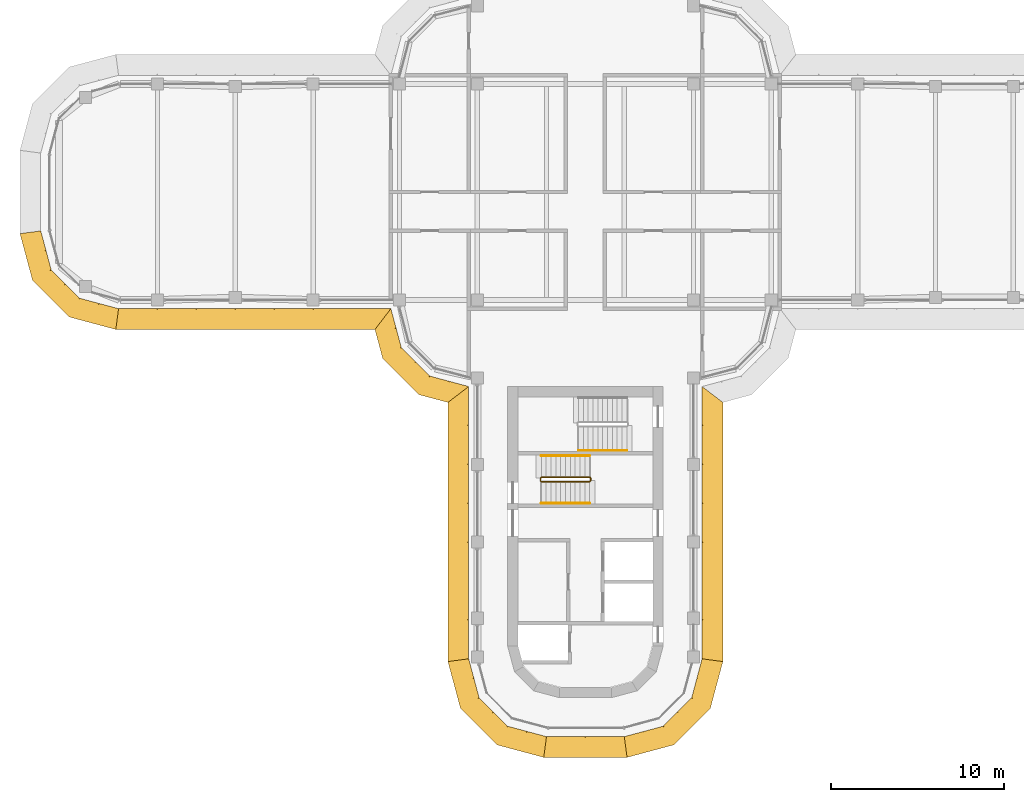
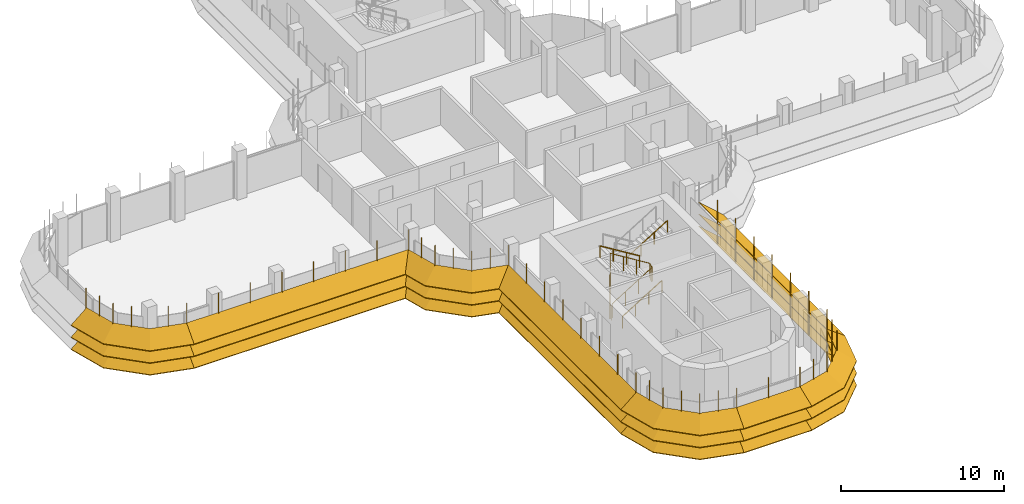
# One storey, part 16 of 19: 8 shading devices, 4 railings.
"""IFC4 building model written with IfcOpenShell, lengths in metres."""

from ifc_helpers import new_model, si_unit, direction, frame, origin, origin_2d, place, context, subcontext, project, spatial, polyline, circle, outline, extrude, faceted_brep, source, transform, mapped, material, type_object, element, save


model = new_model("IFC4")

# Units and contexts
model_context = context("Model", 3, precision=1e-05, world=origin(), true_north=direction((0.0, 1.0)))
body_context = subcontext(model_context, "Body", "Model", "MODEL_VIEW")
ifc_project = project(units=[si_unit("LENGTHUNIT", "METRE"), si_unit("AREAUNIT", "SQUARE_METRE"), si_unit("VOLUMEUNIT", "CUBIC_METRE"), si_unit("PLANEANGLEUNIT", "RADIAN"), si_unit("MASSUNIT", "GRAM", prefix="KILO")], contexts=[model_context])

# Site, building, storey
site_placement = place(None, origin())
site = spatial("IfcSite", under=ifc_project, at=site_placement, CompositionType="ELEMENT")
building_placement = place(site_placement, origin())
building = spatial("IfcBuilding", under=site, at=building_placement, Name="Zarbagh Exchange Tower", CompositionType="ELEMENT")
storey_placement = place(building_placement, frame((0.0, 0.0, 218.199951171875)))
storey = spatial("IfcBuildingStorey", under=building, at=storey_placement, Name="L53", CompositionType="ELEMENT", Elevation=218.199951171875)

# Railings
ifc_material_1 = material(Name="Stainless steel", Category="steel")
railing_type_1 = type_object("IfcRailingType", Name="Stair guard 1100 mm", PredefinedType="GUARDRAIL", material=ifc_material_1)
railing_1_placement = place(storey_placement, frame((-2.550048828125, -16.75, 0.1728515625)))
element("IfcRailing", 1, at=railing_1_placement, inside=storey, type_object=railing_type_1, Name="ST3 stair guard 1", PredefinedType="GUARDRAIL", context=body_context, shape_type="SweptSolid", body=[
    extrude(circle(Radius=0.02392578125, at=origin_2d()), frame((0.0, 0.0, 1.076171875), z_axis=(0.851089632645, 0.0, 0.525020415988), x_axis=(0.0, 1.0, 0.0)), (0.0, 0.0, 1.0), 3.2900390625),
    extrude(circle(Radius=0.02392578125, at=origin_2d()), frame((2.800048828125, 0.0, 2.80322265625), z_axis=(0.707106781187, 0.707106781187, 0.0), x_axis=(-0.707106781187, 0.707106781187, 0.0)), (0.0, 0.0, 1.0), 0.07080078125),
    extrude(circle(Radius=0.02392578125, at=origin_2d()), frame((2.85009765625, 0.050048828125, 2.80322265625), z_axis=(0.0, 1.0, 0.0), x_axis=(-1.0, 0.0, 0.0)), (0.0, 0.0, 1.0), 0.14990234375),
    extrude(circle(Radius=0.02392578125, at=origin_2d()), frame((2.85009765625, 0.199951171875, 2.80322265625), z_axis=(-0.268277960024, 0.268277960024, 0.925231793839), x_axis=(-0.707106781187, -0.707106781187, 0.0)), (0.0, 0.0, 1.0), 0.1865234375),
    extrude(circle(Radius=0.02392578125, at=origin_2d()), frame((2.800048828125, 0.25, 2.97607421875), z_axis=(-0.851089632645, 0.0, 0.525020415988), x_axis=(0.0, -1.0, 0.0)), (0.0, 0.0, 1.0), 3.2900390625),
    extrude(circle(Radius=0.02392578125, at=origin_2d()), frame((0.0, 0.25, 4.703125), z_axis=(-0.013168290981, -0.013168290981, -0.999826581076), x_axis=(0.707106781187, -0.707106781187, 0.0)), (0.0, 0.0, 1.0), 3.80078125),
    extrude(circle(Radius=0.02392578125, at=origin_2d()), frame((-0.050048828125, 0.199951171875, 0.9033203125), z_axis=(0.0, -1.0, 0.0), x_axis=(1.0, 0.0, 0.0)), (0.0, 0.0, 1.0), 0.14990234375),
    extrude(circle(Radius=0.02099609375, at=origin_2d()), origin(), (0.0, 0.0, 1.0), 1.052001953125),
    extrude(circle(Radius=0.02099609375, at=origin_2d()), frame((0.933349609375, 0.0, 0.57568359375)), (0.0, 0.0, 1.0), 1.052001953125),
    extrude(circle(Radius=0.02099609375, at=origin_2d()), frame((1.86669921875, 0.0, 1.151611328125)), (0.0, 0.0, 1.0), 1.052001953125),
    extrude(circle(Radius=0.02099609375, at=origin_2d()), frame((2.800048828125, 0.0, 1.727294921875)), (0.0, 0.0, 1.0), 1.052001953125),
    extrude(circle(Radius=0.02099609375, at=origin_2d()), frame((2.85009765625, 0.050048828125, 1.727294921875)), (0.0, 0.0, 1.0), 1.052001953125),
    extrude(circle(Radius=0.02099609375, at=origin_2d()), frame((2.85009765625, 0.199951171875, 1.727294921875)), (0.0, 0.0, 1.0), 1.052001953125),
    extrude(circle(Radius=0.02099609375, at=origin_2d()), frame((2.800048828125, 0.25, 1.89990234375)), (0.0, 0.0, 1.0), 1.052001953125),
    extrude(circle(Radius=0.02099609375, at=origin_2d()), frame((1.86669921875, 0.25, 2.4755859375)), (0.0, 0.0, 1.0), 1.052001953125),
    extrude(circle(Radius=0.02099609375, at=origin_2d()), frame((0.933349609375, 0.25, 3.051513671875)), (0.0, 0.0, 1.0), 1.052001953125),
    extrude(circle(Radius=0.02099609375, at=origin_2d()), frame((0.0, 0.25, 3.627197265625)), (0.0, 0.0, 1.0), 1.052001953125),
    extrude(circle(Radius=0.02099609375, at=origin_2d()), frame((-0.012451171875, 0.237548828125, 2.67724609375)), (0.0, 0.0, 1.0), 1.052001953125),
    extrude(circle(Radius=0.02099609375, at=origin_2d()), frame((-0.02490234375, 0.22509765625, 1.72705078125)), (0.0, 0.0, 1.0), 1.052001953125),
    extrude(circle(Radius=0.02099609375, at=origin_2d()), frame((-0.03759765625, 0.21240234375, 0.777099609375)), (0.0, 0.0, 1.0), 1.052001953125),
    extrude(circle(Radius=0.02099609375, at=origin_2d()), frame((-0.050048828125, 0.199951171875, -0.1728515625)), (0.0, 0.0, 1.0), 1.052001953125),
    extrude(circle(Radius=0.02099609375, at=origin_2d()), frame((-0.050048828125, 0.050048828125, -0.1728515625)), (0.0, 0.0, 1.0), 1.052001953125),
])
railing_type_2 = type_object("IfcRailingType", Name="Stair handrail 900 mm", PredefinedType="HANDRAIL", material=ifc_material_1)
railing_2_placement = place(storey_placement, frame((-2.550048828125, -18.0, 0.1728515625)))
element("IfcRailing", 2, at=railing_2_placement, inside=storey, type_object=railing_type_2, Name="ST3 stair handrail 1", PredefinedType="HANDRAIL", context=body_context, shape_type="SweptSolid", body=[
    extrude(circle(Radius=0.02392578125, at=origin_2d()), frame((0.0, 0.0, 0.8759765625), z_axis=(0.851089632645, 0.0, 0.525020415988), x_axis=(0.0, 1.0, 0.0)), (0.0, 0.0, 1.0), 3.2900390625),
    extrude(circle(Radius=0.02099609375, at=origin_2d()), origin(), (0.0, 0.0, 1.0), 0.851806640625),
    extrude(circle(Radius=0.02099609375, at=origin_2d()), frame((0.933349609375, 0.0, 0.57568359375)), (0.0, 0.0, 1.0), 0.851806640625),
    extrude(circle(Radius=0.02099609375, at=origin_2d()), frame((1.86669921875, 0.0, 1.151611328125)), (0.0, 0.0, 1.0), 0.851806640625),
    extrude(circle(Radius=0.02099609375, at=origin_2d()), frame((2.800048828125, 0.0, 1.727294921875)), (0.0, 0.0, 1.0), 0.851806640625),
])
railing_3_placement = place(storey_placement, frame((0.25, -15.25, 2.07275390625)))
element("IfcRailing", 3, at=railing_3_placement, inside=storey, type_object=railing_type_2, Name="ST3 stair handrail 2", PredefinedType="HANDRAIL", context=body_context, shape_type="SweptSolid", body=[
    extrude(circle(Radius=0.02392578125, at=origin_2d()), frame((0.0, 0.0, 0.8759765625), z_axis=(-0.851089632645, 0.0, 0.525020415988), x_axis=(0.0, -1.0, 0.0)), (0.0, 0.0, 1.0), 3.2900390625),
    extrude(circle(Radius=0.02099609375, at=origin_2d()), origin(), (0.0, 0.0, 1.0), 0.851806640625),
    extrude(circle(Radius=0.02099609375, at=origin_2d()), frame((-0.933349609375, 0.0, 0.57568359375)), (0.0, 0.0, 1.0), 0.851806640625),
    extrude(circle(Radius=0.02099609375, at=origin_2d()), frame((-1.86669921875, 0.0, 1.151611328125)), (0.0, 0.0, 1.0), 0.851806640625),
    extrude(circle(Radius=0.02099609375, at=origin_2d()), frame((-2.800048828125, 0.0, 1.727294921875)), (0.0, 0.0, 1.0), 0.851806640625),
])
railing_4_placement = place(storey_placement, frame((-0.39990234375, -14.949951171875, 2.07275390625)))
element("IfcRailing", 4, at=railing_4_placement, inside=storey, type_object=railing_type_2, Name="ST4 stair handrail 2", PredefinedType="HANDRAIL", context=body_context, shape_type="SweptSolid", body=[
    extrude(circle(Radius=0.02392578125, at=origin_2d()), frame((0.0, 0.0, 0.8759765625), z_axis=(0.851069175582, 0.0, 0.525053576669), x_axis=(0.0, 1.0, 0.0)), (0.0, 0.0, 1.0), 3.289794921875),
    extrude(circle(Radius=0.02099609375, at=origin_2d()), origin(), (0.0, 0.0, 1.0), 0.851806640625),
    extrude(circle(Radius=0.02099609375, at=origin_2d()), frame((0.933349609375, 0.0, 0.57568359375)), (0.0, 0.0, 1.0), 0.851806640625),
    extrude(circle(Radius=0.02099609375, at=origin_2d()), frame((1.866455078125, 0.0, 1.151611328125)), (0.0, 0.0, 1.0), 0.851806640625),
    extrude(circle(Radius=0.02099609375, at=origin_2d()), frame((2.7998046875, 0.0, 1.727294921875)), (0.0, 0.0, 1.0), 0.851806640625),
])

# Shading devices
ifc_material_2 = material(Name="Anodised aluminium blades and brackets", Category="aluminium")
shading_device_type = type_object("IfcShadingDeviceType", Name="SUNSHADE louvre band, 33.75 degree blades", PredefinedType="JALOUSIE", material=ifc_material_2)
shared_shape_1 = source(origin(), body_context, "Body", "Brep", [
    faceted_brep([(0.0, 0.0, 0.0), (0.0, 0.0, -0.048095703125), (-0.157958984375, -1.199951171875, -0.849853515625), (-0.157958984375, -1.199951171875, -0.8017578125), (2.65087890625, -1.199951171875, -0.8017578125), (2.65087890625, -1.199951171875, -0.849853515625), (2.329345703125, 0.0, -0.048095703125), (2.329345703125, 0.0, 0.0)], [[[0, 1, 2, 3]], [[4, 5, 6, 7]], [[0, 7, 6, 1]], [[1, 6, 5, 2]], [[2, 5, 4, 3]], [[3, 4, 7, 0]]]),
])
shared_shape_2 = source(origin(), body_context, "Body", "Brep", [
    faceted_brep([(0.0, 0.0, 0.0), (0.0, 0.0, -0.048095703125), (-0.321533203125, -1.199951171875, -0.849853515625), (-0.321533203125, -1.199951171875, -0.8017578125), (2.65087890625, -1.199951171875, -0.8017578125), (2.65087890625, -1.199951171875, -0.849853515625), (2.329345703125, 0.0, -0.048095703125), (2.329345703125, 0.0, 0.0)], [[[0, 1, 2, 3]], [[4, 5, 6, 7]], [[0, 7, 6, 1]], [[1, 6, 5, 2]], [[2, 5, 4, 3]], [[3, 4, 7, 0]]]),
])
shared_shape_3 = source(origin(), body_context, "Body", "Brep", [
    faceted_brep([(0.0, 0.0, 0.0), (0.0, 0.0, -0.048095703125), (-0.321533203125, -1.199951171875, -0.849853515625), (-0.321533203125, -1.199951171875, -0.8017578125), (2.4873046875, -1.199951171875, -0.8017578125), (2.4873046875, -1.199951171875, -0.849853515625), (2.329345703125, 0.0, -0.048095703125), (2.329345703125, 0.0, 0.0)], [[[0, 1, 2, 3]], [[4, 5, 6, 7]], [[0, 7, 6, 1]], [[1, 6, 5, 2]], [[2, 5, 4, 3]], [[3, 4, 7, 0]]]),
])
shared_shape_4 = source(origin(), body_context, "Body", "SweptSolid", [
    extrude(outline(polyline([(0.0, -0.012451171875), (0.06005859375, -0.012451171875), (0.06005859375, 0.012451171875), (0.0, 0.012451171875), (0.0, -0.012451171875)])), origin(), (0.0, 0.0, 1.0), 3.358154296875),
])
placement = place(storey_placement, origin())
element("IfcShadingDevice", 5, at=placement, inside=storey, type_object=shading_device_type, Name="SS35 sunshade band", PredefinedType="JALOUSIE", context=body_context, shape_type="MappedRepresentation", body=[
    mapped(shared_shape_1, transform((2.25, -31.5, 2.300048828125), x_axis=(0.965924289636, 0.258824779902, 0.0), y_axis=(-0.258824779902, 0.965924289636, 0.0), z_axis=(0.0, 0.0, 1.0))),
    mapped(shared_shape_1, transform((2.25, -31.5, 1.400146484375), x_axis=(0.965924289636, 0.258824779902, 0.0), y_axis=(-0.258824779902, 0.965924289636, 0.0), z_axis=(0.0, 0.0, 1.0))),
    mapped(shared_shape_1, transform((2.25, -31.5, 0.5), x_axis=(0.965924289636, 0.258824779902, 0.0), y_axis=(-0.258824779902, 0.965924289636, 0.0), z_axis=(0.0, 0.0, 1.0))),
    mapped(shared_shape_2, transform((4.5, -30.897216796875, 2.300048828125), x_axis=(0.707106781187, 0.707106781187, 0.0), y_axis=(-0.707106781187, 0.707106781187, 0.0), z_axis=(0.0, 0.0, 1.0))),
    mapped(shared_shape_2, transform((4.5, -30.897216796875, 1.400146484375), x_axis=(0.707106781187, 0.707106781187, 0.0), y_axis=(-0.707106781187, 0.707106781187, 0.0), z_axis=(0.0, 0.0, 1.0))),
    mapped(shared_shape_2, transform((4.5, -30.897216796875, 0.5), x_axis=(0.707106781187, 0.707106781187, 0.0), y_axis=(-0.707106781187, 0.707106781187, 0.0), z_axis=(0.0, 0.0, 1.0))),
    mapped(shared_shape_3, transform((6.147216796875, -29.25, 2.300048828125), x_axis=(0.258824779902, 0.965924289636, 0.0), y_axis=(-0.965924289636, 0.258824779902, 0.0), z_axis=(0.0, 0.0, 1.0))),
    mapped(shared_shape_3, transform((6.147216796875, -29.25, 1.400146484375), x_axis=(0.258824779902, 0.965924289636, 0.0), y_axis=(-0.965924289636, 0.258824779902, 0.0), z_axis=(0.0, 0.0, 1.0))),
    mapped(shared_shape_3, transform((6.147216796875, -29.25, 0.5), x_axis=(0.258824779902, 0.965924289636, 0.0), y_axis=(-0.965924289636, 0.258824779902, 0.0), z_axis=(0.0, 0.0, 1.0))),
    mapped(shared_shape_4, transform((2.25, -31.5, 0.421875), x_axis=(0.130529263012, -0.991444457092, 0.0), y_axis=(0.991444457092, 0.130529263012, 0.0), z_axis=(0.0, 0.0, 1.0))),
    mapped(shared_shape_4, transform((3.375, -31.198486328125, 0.421875), x_axis=(0.258825058029, -0.96592421511, 0.0), y_axis=(0.96592421511, 0.258825058029, 0.0), z_axis=(0.0, 0.0, 1.0))),
    mapped(shared_shape_4, transform((4.5, -30.897216796875, 0.421875), x_axis=(0.50000275701, -0.866023812018, 0.0), y_axis=(0.866023812018, 0.50000275701, 0.0), z_axis=(0.0, 0.0, 1.0))),
    mapped(shared_shape_4, transform((5.323486328125, -30.073486328125, 0.421875), x_axis=(0.707106781187, -0.707106781187, 0.0), y_axis=(0.707106781187, 0.707106781187, 0.0), z_axis=(0.0, 0.0, 1.0))),
    mapped(shared_shape_4, transform((6.147216796875, -29.25, 0.421875), x_axis=(0.866023812018, -0.50000275701, 0.0), y_axis=(0.50000275701, 0.866023812018, 0.0), z_axis=(0.0, 0.0, 1.0))),
    mapped(shared_shape_4, transform((6.448486328125, -28.125, 0.421875), x_axis=(0.96592421511, -0.258825058029, 0.0), y_axis=(0.258825058029, 0.96592421511, 0.0), z_axis=(0.0, 0.0, 1.0))),
])
element("IfcShadingDevice", 6, at=placement, inside=storey, type_object=shading_device_type, Name="SS43 sunshade band", PredefinedType="JALOUSIE", context=body_context, shape_type="MappedRepresentation", body=[
    mapped(shared_shape_1, transform((-31.5, -2.25, 2.300048828125), x_axis=(0.258824779902, -0.965924289636, 0.0), y_axis=(0.965924289636, 0.258824779902, 0.0), z_axis=(0.0, 0.0, 1.0))),
    mapped(shared_shape_1, transform((-31.5, -2.25, 1.400146484375), x_axis=(0.258824779902, -0.965924289636, 0.0), y_axis=(0.965924289636, 0.258824779902, 0.0), z_axis=(0.0, 0.0, 1.0))),
    mapped(shared_shape_1, transform((-31.5, -2.25, 0.5), x_axis=(0.258824779902, -0.965924289636, 0.0), y_axis=(0.965924289636, 0.258824779902, 0.0), z_axis=(0.0, 0.0, 1.0))),
    mapped(shared_shape_2, transform((-30.897216796875, -4.5, 2.300048828125), x_axis=(0.707106781187, -0.707106781187, 0.0), y_axis=(0.707106781187, 0.707106781187, 0.0), z_axis=(0.0, 0.0, 1.0))),
    mapped(shared_shape_2, transform((-30.897216796875, -4.5, 1.400146484375), x_axis=(0.707106781187, -0.707106781187, 0.0), y_axis=(0.707106781187, 0.707106781187, 0.0), z_axis=(0.0, 0.0, 1.0))),
    mapped(shared_shape_2, transform((-30.897216796875, -4.5, 0.5), x_axis=(0.707106781187, -0.707106781187, 0.0), y_axis=(0.707106781187, 0.707106781187, 0.0), z_axis=(0.0, 0.0, 1.0))),
    mapped(shared_shape_3, transform((-29.25, -6.147216796875, 2.300048828125), x_axis=(0.965924289636, -0.258824779902, 0.0), y_axis=(0.258824779902, 0.965924289636, 0.0), z_axis=(0.0, 0.0, 1.0))),
    mapped(shared_shape_3, transform((-29.25, -6.147216796875, 1.400146484375), x_axis=(0.965924289636, -0.258824779902, 0.0), y_axis=(0.258824779902, 0.965924289636, 0.0), z_axis=(0.0, 0.0, 1.0))),
    mapped(shared_shape_3, transform((-29.25, -6.147216796875, 0.5), x_axis=(0.965924289636, -0.258824779902, 0.0), y_axis=(0.258824779902, 0.965924289636, 0.0), z_axis=(0.0, 0.0, 1.0))),
    mapped(shared_shape_4, transform((-31.5, -2.25, 0.421875), x_axis=(-0.991444457092, -0.130529263012, 0.0), y_axis=(0.130529263012, -0.991444457092, 0.0), z_axis=(0.0, 0.0, 1.0))),
    mapped(shared_shape_4, transform((-31.198486328125, -3.375, 0.421875), x_axis=(-0.96592421511, -0.258825058029, 0.0), y_axis=(0.258825058029, -0.96592421511, 0.0), z_axis=(0.0, 0.0, 1.0))),
    mapped(shared_shape_4, transform((-30.897216796875, -4.5, 0.421875), x_axis=(-0.866023812018, -0.50000275701, 0.0), y_axis=(0.50000275701, -0.866023812018, 0.0), z_axis=(0.0, 0.0, 1.0))),
    mapped(shared_shape_4, transform((-30.073486328125, -5.323486328125, 0.421875), x_axis=(-0.707106781187, -0.707106781187, 0.0), y_axis=(0.707106781187, -0.707106781187, 0.0), z_axis=(0.0, 0.0, 1.0))),
    mapped(shared_shape_4, transform((-29.25, -6.147216796875, 0.421875), x_axis=(-0.50000275701, -0.866023812018, 0.0), y_axis=(0.866023812018, -0.50000275701, 0.0), z_axis=(0.0, 0.0, 1.0))),
    mapped(shared_shape_4, transform((-28.125, -6.448486328125, 0.421875), x_axis=(-0.258825058029, -0.96592421511, 0.0), y_axis=(0.96592421511, -0.258825058029, 0.0), z_axis=(0.0, 0.0, 1.0))),
])
element("IfcShadingDevice", 7, at=placement, inside=storey, type_object=shading_device_type, Name="SS38 sunshade band", PredefinedType="JALOUSIE", context=body_context, shape_type="MappedRepresentation", body=[
    mapped(shared_shape_1, transform((-6.75, -27.0, 2.300048828125), x_axis=(0.258824779902, -0.965924289636, 0.0), y_axis=(0.965924289636, 0.258824779902, 0.0), z_axis=(0.0, 0.0, 1.0))),
    mapped(shared_shape_1, transform((-6.75, -27.0, 1.400146484375), x_axis=(0.258824779902, -0.965924289636, 0.0), y_axis=(0.965924289636, 0.258824779902, 0.0), z_axis=(0.0, 0.0, 1.0))),
    mapped(shared_shape_1, transform((-6.75, -27.0, 0.5), x_axis=(0.258824779902, -0.965924289636, 0.0), y_axis=(0.965924289636, 0.258824779902, 0.0), z_axis=(0.0, 0.0, 1.0))),
    mapped(shared_shape_2, transform((-6.147216796875, -29.25, 2.300048828125), x_axis=(0.707106781187, -0.707106781187, 0.0), y_axis=(0.707106781187, 0.707106781187, 0.0), z_axis=(0.0, 0.0, 1.0))),
    mapped(shared_shape_2, transform((-6.147216796875, -29.25, 1.400146484375), x_axis=(0.707106781187, -0.707106781187, 0.0), y_axis=(0.707106781187, 0.707106781187, 0.0), z_axis=(0.0, 0.0, 1.0))),
    mapped(shared_shape_2, transform((-6.147216796875, -29.25, 0.5), x_axis=(0.707106781187, -0.707106781187, 0.0), y_axis=(0.707106781187, 0.707106781187, 0.0), z_axis=(0.0, 0.0, 1.0))),
    mapped(shared_shape_3, transform((-4.5, -30.897216796875, 2.300048828125), x_axis=(0.965924289636, -0.258824779902, 0.0), y_axis=(0.258824779902, 0.965924289636, 0.0), z_axis=(0.0, 0.0, 1.0))),
    mapped(shared_shape_3, transform((-4.5, -30.897216796875, 1.400146484375), x_axis=(0.965924289636, -0.258824779902, 0.0), y_axis=(0.258824779902, 0.965924289636, 0.0), z_axis=(0.0, 0.0, 1.0))),
    mapped(shared_shape_3, transform((-4.5, -30.897216796875, 0.5), x_axis=(0.965924289636, -0.258824779902, 0.0), y_axis=(0.258824779902, 0.965924289636, 0.0), z_axis=(0.0, 0.0, 1.0))),
    mapped(shared_shape_4, transform((-6.75, -27.0, 0.421875), x_axis=(-0.991444457092, -0.130529263012, 0.0), y_axis=(0.130529263012, -0.991444457092, 0.0), z_axis=(0.0, 0.0, 1.0))),
    mapped(shared_shape_4, transform((-6.448486328125, -28.125, 0.421875), x_axis=(-0.96592421511, -0.258825058029, 0.0), y_axis=(0.258825058029, -0.96592421511, 0.0), z_axis=(0.0, 0.0, 1.0))),
    mapped(shared_shape_4, transform((-6.147216796875, -29.25, 0.421875), x_axis=(-0.866023812018, -0.50000275701, 0.0), y_axis=(0.50000275701, -0.866023812018, 0.0), z_axis=(0.0, 0.0, 1.0))),
    mapped(shared_shape_4, transform((-5.323486328125, -30.073486328125, 0.421875), x_axis=(-0.707106781187, -0.707106781187, 0.0), y_axis=(0.707106781187, -0.707106781187, 0.0), z_axis=(0.0, 0.0, 1.0))),
    mapped(shared_shape_4, transform((-4.5, -30.897216796875, 0.421875), x_axis=(-0.50000275701, -0.866023812018, 0.0), y_axis=(0.866023812018, -0.50000275701, 0.0), z_axis=(0.0, 0.0, 1.0))),
    mapped(shared_shape_4, transform((-3.375, -31.198486328125, 0.421875), x_axis=(-0.258825058029, -0.96592421511, 0.0), y_axis=(0.96592421511, -0.258825058029, 0.0), z_axis=(0.0, 0.0, 1.0))),
])
shared_shape_5 = source(origin(), body_context, "Body", "Brep", [
    faceted_brep([(0.0, 0.0, 0.0), (0.0, 0.0, -0.048095703125), (0.9208984375, -1.199951171875, -0.849853515625), (0.9208984375, -1.199951171875, -0.8017578125), (2.65087890625, -1.199951171875, -0.8017578125), (2.65087890625, -1.199951171875, -0.849853515625), (2.329345703125, 0.0, -0.048095703125), (2.329345703125, 0.0, 0.0)], [[[0, 1, 2, 3]], [[4, 5, 6, 7]], [[0, 7, 6, 1]], [[1, 6, 5, 2]], [[2, 5, 4, 3]], [[3, 4, 7, 0]]]),
])
shared_shape_6 = source(origin(), body_context, "Body", "Brep", [
    faceted_brep([(0.0, 0.0, 0.0), (0.0, 0.0, -0.048095703125), (-0.321533203125, -1.199951171875, -0.849853515625), (-0.321533203125, -1.199951171875, -0.8017578125), (1.40869140625, -1.199951171875, -0.8017578125), (1.40869140625, -1.199951171875, -0.849853515625), (2.329345703125, 0.0, -0.048095703125), (2.329345703125, 0.0, 0.0)], [[[0, 1, 2, 3]], [[4, 5, 6, 7]], [[0, 7, 6, 1]], [[1, 6, 5, 2]], [[2, 5, 4, 3]], [[3, 4, 7, 0]]]),
])
element("IfcShadingDevice", 8, at=placement, inside=storey, type_object=shading_device_type, Name="SS21 sunshade band", PredefinedType="JALOUSIE", context=body_context, shape_type="MappedRepresentation", body=[
    mapped(shared_shape_5, transform((-11.25, -6.75, 2.300048828125), x_axis=(0.258824779902, -0.965924289636, 0.0), y_axis=(0.965924289636, 0.258824779902, 0.0), z_axis=(0.0, 0.0, 1.0))),
    mapped(shared_shape_5, transform((-11.25, -6.75, 1.400146484375), x_axis=(0.258824779902, -0.965924289636, 0.0), y_axis=(0.965924289636, 0.258824779902, 0.0), z_axis=(0.0, 0.0, 1.0))),
    mapped(shared_shape_5, transform((-11.25, -6.75, 0.5), x_axis=(0.258824779902, -0.965924289636, 0.0), y_axis=(0.965924289636, 0.258824779902, 0.0), z_axis=(0.0, 0.0, 1.0))),
    mapped(shared_shape_2, transform((-10.647216796875, -9.0, 2.300048828125), x_axis=(0.707106781187, -0.707106781187, 0.0), y_axis=(0.707106781187, 0.707106781187, 0.0), z_axis=(0.0, 0.0, 1.0))),
    mapped(shared_shape_2, transform((-10.647216796875, -9.0, 1.400146484375), x_axis=(0.707106781187, -0.707106781187, 0.0), y_axis=(0.707106781187, 0.707106781187, 0.0), z_axis=(0.0, 0.0, 1.0))),
    mapped(shared_shape_2, transform((-10.647216796875, -9.0, 0.5), x_axis=(0.707106781187, -0.707106781187, 0.0), y_axis=(0.707106781187, 0.707106781187, 0.0), z_axis=(0.0, 0.0, 1.0))),
    mapped(shared_shape_6, transform((-9.0, -10.647216796875, 2.300048828125), x_axis=(0.965924289636, -0.258824779902, 0.0), y_axis=(0.258824779902, 0.965924289636, 0.0), z_axis=(0.0, 0.0, 1.0))),
    mapped(shared_shape_6, transform((-9.0, -10.647216796875, 1.400146484375), x_axis=(0.965924289636, -0.258824779902, 0.0), y_axis=(0.258824779902, 0.965924289636, 0.0), z_axis=(0.0, 0.0, 1.0))),
    mapped(shared_shape_6, transform((-9.0, -10.647216796875, 0.5), x_axis=(0.965924289636, -0.258824779902, 0.0), y_axis=(0.258824779902, 0.965924289636, 0.0), z_axis=(0.0, 0.0, 1.0))),
    mapped(shared_shape_4, transform((-11.25, -6.75, 0.421875), x_axis=(-0.608758892, -0.793355287, 0.0), y_axis=(0.793355287, -0.608758892, 0.0), z_axis=(0.0, 0.0, 1.0))),
    mapped(shared_shape_4, transform((-10.948486328125, -7.875, 0.421875), x_axis=(-0.96592421511, -0.258825058029, 0.0), y_axis=(0.258825058029, -0.96592421511, 0.0), z_axis=(0.0, 0.0, 1.0))),
    mapped(shared_shape_4, transform((-10.647216796875, -9.0, 0.421875), x_axis=(-0.866023812018, -0.50000275701, 0.0), y_axis=(0.50000275701, -0.866023812018, 0.0), z_axis=(0.0, 0.0, 1.0))),
    mapped(shared_shape_4, transform((-9.823486328125, -9.823486328125, 0.421875), x_axis=(-0.707106781187, -0.707106781187, 0.0), y_axis=(0.707106781187, -0.707106781187, 0.0), z_axis=(0.0, 0.0, 1.0))),
    mapped(shared_shape_4, transform((-9.0, -10.647216796875, 0.421875), x_axis=(-0.50000275701, -0.866023812018, 0.0), y_axis=(0.866023812018, -0.50000275701, 0.0), z_axis=(0.0, 0.0, 1.0))),
    mapped(shared_shape_4, transform((-7.875, -10.948486328125, 0.421875), x_axis=(-0.258825058029, -0.96592421511, 0.0), y_axis=(0.96592421511, -0.258825058029, 0.0), z_axis=(0.0, 0.0, 1.0))),
])
shared_shape_7 = source(origin(), body_context, "Body", "Brep", [
    faceted_brep([(0.0, 0.0, 0.0), (0.0, 0.0, -0.048095703125), (-0.157958984375, -1.199951171875, -0.849853515625), (-0.157958984375, -1.199951171875, -0.8017578125), (14.8291015625, -1.199951171875, -0.8017578125), (14.8291015625, -1.199951171875, -0.849853515625), (15.75, 0.0, -0.048095703125), (15.75, 0.0, 0.0)], [[[0, 1, 2, 3]], [[4, 5, 6, 7]], [[0, 7, 6, 1]], [[1, 6, 5, 2]], [[2, 5, 4, 3]], [[3, 4, 7, 0]]]),
])
element("IfcShadingDevice", 9, at=placement, inside=storey, type_object=shading_device_type, Name="SS36 sunshade band", PredefinedType="JALOUSIE", context=body_context, shape_type="MappedRepresentation", body=[
    mapped(shared_shape_7, transform((6.75, -27.0, 2.300048828125), x_axis=(0.0, 1.0, 0.0), y_axis=(-1.0, 0.0, 0.0), z_axis=(0.0, 0.0, 1.0))),
    mapped(shared_shape_7, transform((6.75, -27.0, 1.400146484375), x_axis=(0.0, 1.0, 0.0), y_axis=(-1.0, 0.0, 0.0), z_axis=(0.0, 0.0, 1.0))),
    mapped(shared_shape_7, transform((6.75, -27.0, 0.5), x_axis=(0.0, 1.0, 0.0), y_axis=(-1.0, 0.0, 0.0), z_axis=(0.0, 0.0, 1.0))),
    mapped(shared_shape_4, transform((6.75, -27.0, 0.421875), x_axis=(0.991444457092, -0.130529263012, 0.0), y_axis=(0.130529263012, 0.991444457092, 0.0), z_axis=(0.0, 0.0, 1.0))),
    mapped(shared_shape_4, transform((6.75, -24.75, 0.421875), x_axis=(1.0, 0.0, 0.0), y_axis=(0.0, 1.0, 0.0), z_axis=(0.0, 0.0, 1.0))),
    mapped(shared_shape_4, transform((6.75, -22.5, 0.421875), x_axis=(1.0, 0.0, 0.0), y_axis=(0.0, 1.0, 0.0), z_axis=(0.0, 0.0, 1.0))),
    mapped(shared_shape_4, transform((6.75, -20.25, 0.421875), x_axis=(1.0, 0.0, 0.0), y_axis=(0.0, 1.0, 0.0), z_axis=(0.0, 0.0, 1.0))),
    mapped(shared_shape_4, transform((6.75, -18.0, 0.421875), x_axis=(1.0, 0.0, 0.0), y_axis=(0.0, 1.0, 0.0), z_axis=(0.0, 0.0, 1.0))),
    mapped(shared_shape_4, transform((6.75, -15.75, 0.421875), x_axis=(1.0, 0.0, 0.0), y_axis=(0.0, 1.0, 0.0), z_axis=(0.0, 0.0, 1.0))),
    mapped(shared_shape_4, transform((6.75, -13.5, 0.421875), x_axis=(1.0, 0.0, 0.0), y_axis=(0.0, 1.0, 0.0), z_axis=(0.0, 0.0, 1.0))),
])
element("IfcShadingDevice", 10, at=placement, inside=storey, type_object=shading_device_type, Name="SS44 sunshade band", PredefinedType="JALOUSIE", context=body_context, shape_type="MappedRepresentation", body=[
    mapped(shared_shape_7, transform((-27.0, -6.75, 2.300048828125), x_axis=(1.0, 0.0, 0.0), y_axis=(0.0, 1.0, 0.0), z_axis=(0.0, 0.0, 1.0))),
    mapped(shared_shape_7, transform((-27.0, -6.75, 1.400146484375), x_axis=(1.0, 0.0, 0.0), y_axis=(0.0, 1.0, 0.0), z_axis=(0.0, 0.0, 1.0))),
    mapped(shared_shape_7, transform((-27.0, -6.75, 0.5), x_axis=(1.0, 0.0, 0.0), y_axis=(0.0, 1.0, 0.0), z_axis=(0.0, 0.0, 1.0))),
    mapped(shared_shape_4, transform((-27.0, -6.75, 0.421875), x_axis=(-0.130529263012, -0.991444457092, 0.0), y_axis=(0.991444457092, -0.130529263012, 0.0), z_axis=(0.0, 0.0, 1.0))),
    mapped(shared_shape_4, transform((-24.75, -6.75, 0.421875), x_axis=(0.0, -1.0, 0.0), y_axis=(1.0, 0.0, 0.0), z_axis=(0.0, 0.0, 1.0))),
    mapped(shared_shape_4, transform((-22.5, -6.75, 0.421875), x_axis=(0.0, -1.0, 0.0), y_axis=(1.0, 0.0, 0.0), z_axis=(0.0, 0.0, 1.0))),
    mapped(shared_shape_4, transform((-20.25, -6.75, 0.421875), x_axis=(0.0, -1.0, 0.0), y_axis=(1.0, 0.0, 0.0), z_axis=(0.0, 0.0, 1.0))),
    mapped(shared_shape_4, transform((-18.0, -6.75, 0.421875), x_axis=(0.0, -1.0, 0.0), y_axis=(1.0, 0.0, 0.0), z_axis=(0.0, 0.0, 1.0))),
    mapped(shared_shape_4, transform((-15.75, -6.75, 0.421875), x_axis=(0.0, -1.0, 0.0), y_axis=(1.0, 0.0, 0.0), z_axis=(0.0, 0.0, 1.0))),
    mapped(shared_shape_4, transform((-13.5, -6.75, 0.421875), x_axis=(0.0, -1.0, 0.0), y_axis=(1.0, 0.0, 0.0), z_axis=(0.0, 0.0, 1.0))),
])
shared_shape_8 = source(origin(), body_context, "Body", "Brep", [
    faceted_brep([(0.0, 0.0, 0.0), (0.0, 0.0, -0.048095703125), (0.9208984375, -1.199951171875, -0.849853515625), (0.9208984375, -1.199951171875, -0.8017578125), (15.907958984375, -1.199951171875, -0.8017578125), (15.907958984375, -1.199951171875, -0.849853515625), (15.75, 0.0, -0.048095703125), (15.75, 0.0, 0.0)], [[[0, 1, 2, 3]], [[4, 5, 6, 7]], [[0, 7, 6, 1]], [[1, 6, 5, 2]], [[2, 5, 4, 3]], [[3, 4, 7, 0]]]),
])
element("IfcShadingDevice", 11, at=placement, inside=storey, type_object=shading_device_type, Name="SS37 sunshade band", PredefinedType="JALOUSIE", context=body_context, shape_type="MappedRepresentation", body=[
    mapped(shared_shape_8, transform((-6.75, -11.25, 2.300048828125), x_axis=(0.0, -1.0, 0.0), y_axis=(1.0, 0.0, 0.0), z_axis=(0.0, 0.0, 1.0))),
    mapped(shared_shape_8, transform((-6.75, -11.25, 1.400146484375), x_axis=(0.0, -1.0, 0.0), y_axis=(1.0, 0.0, 0.0), z_axis=(0.0, 0.0, 1.0))),
    mapped(shared_shape_8, transform((-6.75, -11.25, 0.5), x_axis=(0.0, -1.0, 0.0), y_axis=(1.0, 0.0, 0.0), z_axis=(0.0, 0.0, 1.0))),
    mapped(shared_shape_4, transform((-6.75, -11.25, 0.421875), x_axis=(-0.793355287, -0.608758892, 0.0), y_axis=(0.608758892, -0.793355287, 0.0), z_axis=(0.0, 0.0, 1.0))),
    mapped(shared_shape_4, transform((-6.75, -13.5, 0.421875), x_axis=(-1.0, 0.0, 0.0), y_axis=(0.0, -1.0, 0.0), z_axis=(0.0, 0.0, 1.0))),
    mapped(shared_shape_4, transform((-6.75, -15.75, 0.421875), x_axis=(-1.0, 0.0, 0.0), y_axis=(0.0, -1.0, 0.0), z_axis=(0.0, 0.0, 1.0))),
    mapped(shared_shape_4, transform((-6.75, -18.0, 0.421875), x_axis=(-1.0, 0.0, 0.0), y_axis=(0.0, -1.0, 0.0), z_axis=(0.0, 0.0, 1.0))),
    mapped(shared_shape_4, transform((-6.75, -20.25, 0.421875), x_axis=(-1.0, 0.0, 0.0), y_axis=(0.0, -1.0, 0.0), z_axis=(0.0, 0.0, 1.0))),
    mapped(shared_shape_4, transform((-6.75, -22.5, 0.421875), x_axis=(-1.0, 0.0, 0.0), y_axis=(0.0, -1.0, 0.0), z_axis=(0.0, 0.0, 1.0))),
    mapped(shared_shape_4, transform((-6.75, -24.75, 0.421875), x_axis=(-1.0, 0.0, 0.0), y_axis=(0.0, -1.0, 0.0), z_axis=(0.0, 0.0, 1.0))),
])
shared_shape_9 = source(origin(), body_context, "Body", "Brep", [
    faceted_brep([(0.0, 0.0, 0.0), (0.0, 0.0, -0.048095703125), (-0.157958984375, -1.199951171875, -0.849853515625), (-0.157958984375, -1.199951171875, -0.8017578125), (4.657958984375, -1.199951171875, -0.8017578125), (4.657958984375, -1.199951171875, -0.849853515625), (4.5, 0.0, -0.048095703125), (4.5, 0.0, 0.0)], [[[0, 1, 2, 3]], [[4, 5, 6, 7]], [[0, 7, 6, 1]], [[1, 6, 5, 2]], [[2, 5, 4, 3]], [[3, 4, 7, 0]]]),
])
element("IfcShadingDevice", 12, at=placement, inside=storey, type_object=shading_device_type, Name="SS39 sunshade band", PredefinedType="JALOUSIE", context=body_context, shape_type="MappedRepresentation", body=[
    mapped(shared_shape_9, transform((-2.25, -31.5, 2.300048828125), x_axis=(1.0, 0.0, 0.0), y_axis=(0.0, 1.0, 0.0), z_axis=(0.0, 0.0, 1.0))),
    mapped(shared_shape_9, transform((-2.25, -31.5, 1.400146484375), x_axis=(1.0, 0.0, 0.0), y_axis=(0.0, 1.0, 0.0), z_axis=(0.0, 0.0, 1.0))),
    mapped(shared_shape_9, transform((-2.25, -31.5, 0.5), x_axis=(1.0, 0.0, 0.0), y_axis=(0.0, 1.0, 0.0), z_axis=(0.0, 0.0, 1.0))),
    mapped(shared_shape_4, transform((-2.25, -31.5, 0.421875), x_axis=(-0.130529263012, -0.991444457092, 0.0), y_axis=(0.991444457092, -0.130529263012, 0.0), z_axis=(0.0, 0.0, 1.0))),
    mapped(shared_shape_4, transform((0.0, -31.5, 0.421875), x_axis=(0.0, -1.0, 0.0), y_axis=(1.0, 0.0, 0.0), z_axis=(0.0, 0.0, 1.0))),
])

save(model, "model.ifc")
